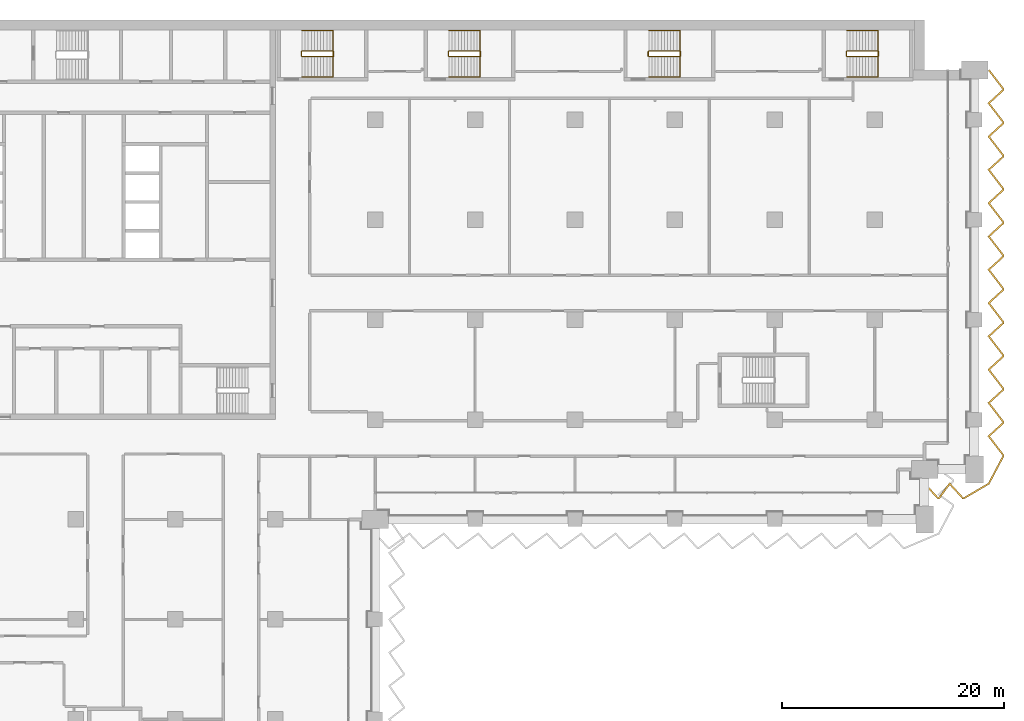
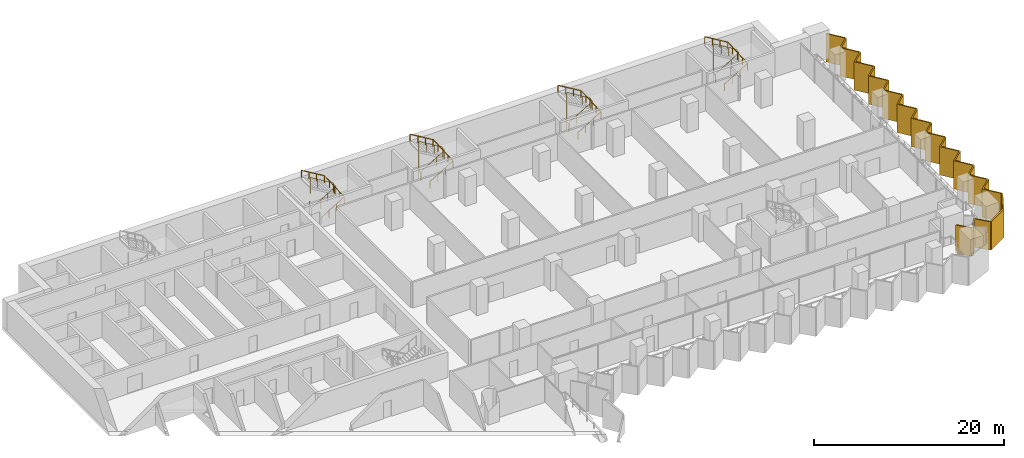
# One storey, part 28 of 29: 8 railings, 1 shading device.
"""IFC4 building model written with IfcOpenShell, lengths in metres."""

from ifc_helpers import new_model, si_unit, direction, frame, origin, origin_2d, place, context, subcontext, project, spatial, polyline, circle, outline, extrude, material, layer, layer_set, type_object, element, save


model = new_model("IFC4")

# Units and contexts
model_context = context("Model", 3, precision=1e-05, world=origin(), true_north=direction((0.0, 1.0)))
body_context = subcontext(model_context, "Body", "Model", "MODEL_VIEW")
ifc_project = project(units=[si_unit("LENGTHUNIT", "METRE"), si_unit("AREAUNIT", "SQUARE_METRE"), si_unit("VOLUMEUNIT", "CUBIC_METRE"), si_unit("PLANEANGLEUNIT", "RADIAN"), si_unit("MASSUNIT", "GRAM", prefix="KILO")], contexts=[model_context])

# Site, building, storey
site_placement = place(None, origin())
site = spatial("IfcSite", under=ifc_project, at=site_placement, CompositionType="ELEMENT")
building_placement = place(site_placement, origin())
building = spatial("IfcBuilding", under=site, at=building_placement, Name="Hunhe Ridgeline Campus", CompositionType="ELEMENT")
storey_placement = place(building_placement, frame((0.0, 0.0, 46.89990234375)))
storey = spatial("IfcBuildingStorey", under=building, at=storey_placement, Name="L10", CompositionType="ELEMENT", Elevation=46.89990234375)

# Shading device
ifc_material_1 = material(Name="Concrete C50", Category="concrete")
ifc_layer = layer(ifc_material_1, 0.14990234375)
ifc_layer_set = layer_set([ifc_layer], Name="Sawtooth concrete fin 150 Concrete C50")
shading_device_type = type_object("IfcShadingDeviceType", Name="Sawtooth concrete fin 150 Concrete C50", PredefinedType="USERDEFINED", material=ifc_layer_set)
shading_device_placement = place(storey_placement, frame((0.0, 0.0, -0.949951171875)))
element("IfcShadingDevice", 1, at=shading_device_placement, inside=storey, type_object=shading_device_type, Name="Concrete fin screen 3", ObjectType="FIN", PredefinedType="USERDEFINED", context=body_context, shape_type="SweptSolid", body=[
    extrude(outline(polyline([(94.555419921875, 57.275634765625), (94.444580078125, 57.174560546875), (95.65283203125, 55.85009765625), (95.84423828125, 55.85009765625), (96.756591796875, 57.1064453125), (97.90283203125, 55.85009765625), (98.076416015625, 55.85009765625), (100.331298828125, 57.171142578125), (101.64990234375, 59.66748046875), (101.64990234375, 59.83154296875), (100.37646484375, 61.490966796875), (101.64990234375, 62.65283203125), (101.64990234375, 62.83154296875), (100.37646484375, 64.490966796875), (101.64990234375, 65.65283203125), (101.64990234375, 65.83154296875), (100.37646484375, 67.490966796875), (101.64990234375, 68.65283203125), (101.64990234375, 68.83154296875), (100.37646484375, 70.490966796875), (101.64990234375, 71.65283203125), (101.64990234375, 71.83154296875), (100.37646484375, 73.490966796875), (101.64990234375, 74.65283203125), (101.64990234375, 74.83154296875), (100.37646484375, 76.490966796875), (101.64990234375, 77.65283203125), (101.64990234375, 77.83154296875), (100.37646484375, 79.490966796875), (101.64990234375, 80.65283203125), (101.64990234375, 80.83154296875), (100.37646484375, 82.490966796875), (101.64990234375, 83.65283203125), (101.64990234375, 83.83154296875), (100.37646484375, 85.490966796875), (101.64990234375, 86.65283203125), (101.64990234375, 86.83154296875), (100.37646484375, 88.490966796875), (101.64990234375, 89.65283203125), (101.64990234375, 89.83154296875), (100.37646484375, 91.490966796875), (101.64990234375, 92.65283203125), (101.64990234375, 92.83154296875), (100.33447265625, 94.545654296875), (100.215576171875, 94.454345703125), (101.5, 92.780517578125), (101.5, 92.71923828125), (100.173583984375, 91.509033203125), (101.5, 89.780517578125), (101.5, 89.71923828125), (100.173583984375, 88.509033203125), (101.5, 86.780517578125), (101.5, 86.71923828125), (100.173583984375, 85.509033203125), (101.5, 83.780517578125), (101.5, 83.71923828125), (100.173583984375, 82.509033203125), (101.5, 80.780517578125), (101.5, 80.71923828125), (100.173583984375, 79.509033203125), (101.5, 77.780517578125), (101.5, 77.71923828125), (100.173583984375, 76.509033203125), (101.5, 74.780517578125), (101.5, 74.71923828125), (100.173583984375, 73.509033203125), (101.5, 71.780517578125), (101.5, 71.71923828125), (100.173583984375, 70.509033203125), (101.5, 68.780517578125), (101.5, 68.71923828125), (100.173583984375, 67.509033203125), (101.5, 65.780517578125), (101.5, 65.71923828125), (100.173583984375, 64.509033203125), (101.5, 62.780517578125), (101.5, 62.71923828125), (100.173583984375, 61.509033203125), (101.5, 59.780517578125), (101.5, 59.70458984375), (100.21875, 57.27880859375), (98.03564453125, 56.0), (97.96923828125, 56.0), (96.743408203125, 57.343505859375), (95.767822265625, 56.0), (95.71923828125, 56.0), (94.555419921875, 57.275634765625)])), origin(), (0.0, 0.0, 1.0), 3.650146484375),
])

# Railings
ifc_material_2 = material(Name="Stainless steel balustrade", Category="steel")
railing_type_1 = type_object("IfcRailingType", Name="Stair guard 1100 stainless", PredefinedType="GUARDRAIL", material=ifc_material_2)
railing_1_placement = place(storey_placement, frame((38.39990234375, 95.699951171875, 0.168212890625)))
element("IfcRailing", 2, at=railing_1_placement, inside=storey, type_object=railing_type_1, Name="L10 stair E1 guard", PredefinedType="GUARDRAIL", context=body_context, shape_type="SweptSolid", body=[
    extrude(circle(Radius=0.02392578125, at=origin_2d()), frame((0.0, 0.0, 1.076171875), z_axis=(0.857242210791, 0.0, 0.514913383045), x_axis=(0.0, 1.0, 0.0)), (0.0, 0.0, 1.0), 3.266357421875),
    extrude(circle(Radius=0.02392578125, at=origin_2d()), frame((2.800048828125, 0.0, 2.7578125), z_axis=(0.707106781187, 0.707106781187, 0.0), x_axis=(-0.707106781187, 0.707106781187, 0.0)), (0.0, 0.0, 1.0), 0.07080078125),
    extrude(circle(Radius=0.02392578125, at=origin_2d()), frame((2.85009765625, 0.050048828125, 2.7578125), z_axis=(0.0, 1.0, 0.0), x_axis=(-1.0, 0.0, 0.0)), (0.0, 0.0, 1.0), 0.39990234375),
    extrude(circle(Radius=0.02392578125, at=origin_2d()), frame((2.85009765625, 0.449951171875, 2.7578125), z_axis=(-0.274243871929, 0.274243871929, 0.92172696468), x_axis=(-0.707106781187, -0.707106781187, 0.0)), (0.0, 0.0, 1.0), 0.1826171875),
    extrude(circle(Radius=0.02392578125, at=origin_2d()), frame((2.800048828125, 0.5, 2.92626953125), z_axis=(-0.857242210791, 0.0, 0.514913383045), x_axis=(0.0, -1.0, 0.0)), (0.0, 0.0, 1.0), 3.266357421875),
    extrude(circle(Radius=0.02392578125, at=origin_2d()), frame((0.0, 0.5, 4.60791015625), z_axis=(-0.013457565943, -0.013523534403, -0.999817987404), x_axis=(0.708833529934, -0.705375805398, 0.0)), (0.0, 0.0, 1.0), 3.700927734375),
    extrude(circle(Radius=0.02392578125, at=origin_2d()), frame((-0.0498046875, 0.449951171875, 0.90771484375), z_axis=(0.0, -1.0, 0.0), x_axis=(1.0, 0.0, 0.0)), (0.0, 0.0, 1.0), 0.39990234375),
    extrude(circle(Radius=0.02099609375, at=origin_2d()), origin(), (0.0, 0.0, 1.0), 1.052001953125),
    extrude(circle(Radius=0.02099609375, at=origin_2d()), frame((0.933349609375, 0.0, 0.560546875)), (0.0, 0.0, 1.0), 1.052001953125),
    extrude(circle(Radius=0.02099609375, at=origin_2d()), frame((1.86669921875, 0.0, 1.121337890625)), (0.0, 0.0, 1.0), 1.052001953125),
    extrude(circle(Radius=0.02099609375, at=origin_2d()), frame((2.800048828125, 0.0, 1.681884765625)), (0.0, 0.0, 1.0), 1.052001953125),
    extrude(circle(Radius=0.02099609375, at=origin_2d()), frame((2.85009765625, 0.050048828125, 1.681884765625)), (0.0, 0.0, 1.0), 1.052001953125),
    extrude(circle(Radius=0.02099609375, at=origin_2d()), frame((2.85009765625, 0.449951171875, 1.681884765625)), (0.0, 0.0, 1.0), 1.052001953125),
    extrude(circle(Radius=0.02099609375, at=origin_2d()), frame((2.800048828125, 0.5, 1.85009765625)), (0.0, 0.0, 1.0), 1.052001953125),
    extrude(circle(Radius=0.02099609375, at=origin_2d()), frame((1.86669921875, 0.5, 2.41064453125)), (0.0, 0.0, 1.0), 1.052001953125),
    extrude(circle(Radius=0.02099609375, at=origin_2d()), frame((0.933349609375, 0.5, 2.971435546875)), (0.0, 0.0, 1.0), 1.052001953125),
    extrude(circle(Radius=0.02099609375, at=origin_2d()), frame((0.0, 0.5, 3.531982421875)), (0.0, 0.0, 1.0), 1.052001953125),
    extrude(circle(Radius=0.02099609375, at=origin_2d()), frame((-0.012451171875, 0.487548828125, 2.60693359375)), (0.0, 0.0, 1.0), 1.052001953125),
    extrude(circle(Radius=0.02099609375, at=origin_2d()), frame((-0.02490234375, 0.47509765625, 1.681884765625)), (0.0, 0.0, 1.0), 1.052001953125),
    extrude(circle(Radius=0.02099609375, at=origin_2d()), frame((-0.037353515625, 0.46240234375, 0.7568359375)), (0.0, 0.0, 1.0), 1.052001953125),
    extrude(circle(Radius=0.02099609375, at=origin_2d()), frame((-0.0498046875, 0.449951171875, -0.168212890625)), (0.0, 0.0, 1.0), 1.052001953125),
    extrude(circle(Radius=0.02099609375, at=origin_2d()), frame((-0.0498046875, 0.050048828125, -0.168212890625)), (0.0, 0.0, 1.0), 1.052001953125),
])
railing_2_placement = place(storey_placement, frame((51.64990234375, 95.699951171875, 0.168212890625)))
element("IfcRailing", 3, at=railing_2_placement, inside=storey, type_object=railing_type_1, Name="L10 stair E2 guard", PredefinedType="GUARDRAIL", context=body_context, shape_type="SweptSolid", body=[
    extrude(circle(Radius=0.02392578125, at=origin_2d()), frame((0.0, 0.0, 1.076171875), z_axis=(0.857242210791, 0.0, 0.514913383045), x_axis=(0.0, 1.0, 0.0)), (0.0, 0.0, 1.0), 3.266357421875),
    extrude(circle(Radius=0.02392578125, at=origin_2d()), frame((2.800048828125, 0.0, 2.7578125), z_axis=(0.707106781187, 0.707106781187, 0.0), x_axis=(-0.707106781187, 0.707106781187, 0.0)), (0.0, 0.0, 1.0), 0.07080078125),
    extrude(circle(Radius=0.02392578125, at=origin_2d()), frame((2.85009765625, 0.050048828125, 2.7578125), z_axis=(0.0, 1.0, 0.0), x_axis=(-1.0, 0.0, 0.0)), (0.0, 0.0, 1.0), 0.39990234375),
    extrude(circle(Radius=0.02392578125, at=origin_2d()), frame((2.85009765625, 0.449951171875, 2.7578125), z_axis=(-0.274243871929, 0.274243871929, 0.92172696468), x_axis=(-0.707106781187, -0.707106781187, 0.0)), (0.0, 0.0, 1.0), 0.1826171875),
    extrude(circle(Radius=0.02392578125, at=origin_2d()), frame((2.800048828125, 0.5, 2.92626953125), z_axis=(-0.857242210791, 0.0, 0.514913383045), x_axis=(0.0, -1.0, 0.0)), (0.0, 0.0, 1.0), 3.266357421875),
    extrude(circle(Radius=0.02392578125, at=origin_2d()), frame((0.0, 0.5, 4.60791015625), z_axis=(-0.013457565943, -0.013523534403, -0.999817987404), x_axis=(0.708833529934, -0.705375805398, 0.0)), (0.0, 0.0, 1.0), 3.700927734375),
    extrude(circle(Radius=0.02392578125, at=origin_2d()), frame((-0.0498046875, 0.449951171875, 0.90771484375), z_axis=(0.0, -1.0, 0.0), x_axis=(1.0, 0.0, 0.0)), (0.0, 0.0, 1.0), 0.39990234375),
    extrude(circle(Radius=0.02099609375, at=origin_2d()), origin(), (0.0, 0.0, 1.0), 1.052001953125),
    extrude(circle(Radius=0.02099609375, at=origin_2d()), frame((0.933349609375, 0.0, 0.560546875)), (0.0, 0.0, 1.0), 1.052001953125),
    extrude(circle(Radius=0.02099609375, at=origin_2d()), frame((1.86669921875, 0.0, 1.121337890625)), (0.0, 0.0, 1.0), 1.052001953125),
    extrude(circle(Radius=0.02099609375, at=origin_2d()), frame((2.800048828125, 0.0, 1.681884765625)), (0.0, 0.0, 1.0), 1.052001953125),
    extrude(circle(Radius=0.02099609375, at=origin_2d()), frame((2.85009765625, 0.050048828125, 1.681884765625)), (0.0, 0.0, 1.0), 1.052001953125),
    extrude(circle(Radius=0.02099609375, at=origin_2d()), frame((2.85009765625, 0.449951171875, 1.681884765625)), (0.0, 0.0, 1.0), 1.052001953125),
    extrude(circle(Radius=0.02099609375, at=origin_2d()), frame((2.800048828125, 0.5, 1.85009765625)), (0.0, 0.0, 1.0), 1.052001953125),
    extrude(circle(Radius=0.02099609375, at=origin_2d()), frame((1.86669921875, 0.5, 2.41064453125)), (0.0, 0.0, 1.0), 1.052001953125),
    extrude(circle(Radius=0.02099609375, at=origin_2d()), frame((0.933349609375, 0.5, 2.971435546875)), (0.0, 0.0, 1.0), 1.052001953125),
    extrude(circle(Radius=0.02099609375, at=origin_2d()), frame((0.0, 0.5, 3.531982421875)), (0.0, 0.0, 1.0), 1.052001953125),
    extrude(circle(Radius=0.02099609375, at=origin_2d()), frame((-0.012451171875, 0.487548828125, 2.60693359375)), (0.0, 0.0, 1.0), 1.052001953125),
    extrude(circle(Radius=0.02099609375, at=origin_2d()), frame((-0.02490234375, 0.47509765625, 1.681884765625)), (0.0, 0.0, 1.0), 1.052001953125),
    extrude(circle(Radius=0.02099609375, at=origin_2d()), frame((-0.037353515625, 0.46240234375, 0.7568359375)), (0.0, 0.0, 1.0), 1.052001953125),
    extrude(circle(Radius=0.02099609375, at=origin_2d()), frame((-0.0498046875, 0.449951171875, -0.168212890625)), (0.0, 0.0, 1.0), 1.052001953125),
    extrude(circle(Radius=0.02099609375, at=origin_2d()), frame((-0.0498046875, 0.050048828125, -0.168212890625)), (0.0, 0.0, 1.0), 1.052001953125),
])
railing_3_placement = place(storey_placement, frame((69.64990234375, 95.699951171875, 0.168212890625)))
element("IfcRailing", 4, at=railing_3_placement, inside=storey, type_object=railing_type_1, Name="L10 stair E3 guard", PredefinedType="GUARDRAIL", context=body_context, shape_type="SweptSolid", body=[
    extrude(circle(Radius=0.02392578125, at=origin_2d()), frame((0.0, 0.0, 1.076171875), z_axis=(0.857242210791, 0.0, 0.514913383045), x_axis=(0.0, 1.0, 0.0)), (0.0, 0.0, 1.0), 3.266357421875),
    extrude(circle(Radius=0.02392578125, at=origin_2d()), frame((2.800048828125, 0.0, 2.7578125), z_axis=(0.707106781187, 0.707106781187, 0.0), x_axis=(-0.707106781187, 0.707106781187, 0.0)), (0.0, 0.0, 1.0), 0.07080078125),
    extrude(circle(Radius=0.02392578125, at=origin_2d()), frame((2.85009765625, 0.050048828125, 2.7578125), z_axis=(0.0, 1.0, 0.0), x_axis=(-1.0, 0.0, 0.0)), (0.0, 0.0, 1.0), 0.39990234375),
    extrude(circle(Radius=0.02392578125, at=origin_2d()), frame((2.85009765625, 0.449951171875, 2.7578125), z_axis=(-0.274243871929, 0.274243871929, 0.92172696468), x_axis=(-0.707106781187, -0.707106781187, 0.0)), (0.0, 0.0, 1.0), 0.1826171875),
    extrude(circle(Radius=0.02392578125, at=origin_2d()), frame((2.800048828125, 0.5, 2.92626953125), z_axis=(-0.857242210791, 0.0, 0.514913383045), x_axis=(0.0, -1.0, 0.0)), (0.0, 0.0, 1.0), 3.266357421875),
    extrude(circle(Radius=0.02392578125, at=origin_2d()), frame((0.0, 0.5, 4.60791015625), z_axis=(-0.013457565943, -0.013523534403, -0.999817987404), x_axis=(0.708833529934, -0.705375805398, 0.0)), (0.0, 0.0, 1.0), 3.700927734375),
    extrude(circle(Radius=0.02392578125, at=origin_2d()), frame((-0.0498046875, 0.449951171875, 0.90771484375), z_axis=(0.0, -1.0, 0.0), x_axis=(1.0, 0.0, 0.0)), (0.0, 0.0, 1.0), 0.39990234375),
    extrude(circle(Radius=0.02099609375, at=origin_2d()), origin(), (0.0, 0.0, 1.0), 1.052001953125),
    extrude(circle(Radius=0.02099609375, at=origin_2d()), frame((0.933349609375, 0.0, 0.560546875)), (0.0, 0.0, 1.0), 1.052001953125),
    extrude(circle(Radius=0.02099609375, at=origin_2d()), frame((1.86669921875, 0.0, 1.121337890625)), (0.0, 0.0, 1.0), 1.052001953125),
    extrude(circle(Radius=0.02099609375, at=origin_2d()), frame((2.800048828125, 0.0, 1.681884765625)), (0.0, 0.0, 1.0), 1.052001953125),
    extrude(circle(Radius=0.02099609375, at=origin_2d()), frame((2.85009765625, 0.050048828125, 1.681884765625)), (0.0, 0.0, 1.0), 1.052001953125),
    extrude(circle(Radius=0.02099609375, at=origin_2d()), frame((2.85009765625, 0.449951171875, 1.681884765625)), (0.0, 0.0, 1.0), 1.052001953125),
    extrude(circle(Radius=0.02099609375, at=origin_2d()), frame((2.800048828125, 0.5, 1.85009765625)), (0.0, 0.0, 1.0), 1.052001953125),
    extrude(circle(Radius=0.02099609375, at=origin_2d()), frame((1.86669921875, 0.5, 2.41064453125)), (0.0, 0.0, 1.0), 1.052001953125),
    extrude(circle(Radius=0.02099609375, at=origin_2d()), frame((0.933349609375, 0.5, 2.971435546875)), (0.0, 0.0, 1.0), 1.052001953125),
    extrude(circle(Radius=0.02099609375, at=origin_2d()), frame((0.0, 0.5, 3.531982421875)), (0.0, 0.0, 1.0), 1.052001953125),
    extrude(circle(Radius=0.02099609375, at=origin_2d()), frame((-0.012451171875, 0.487548828125, 2.60693359375)), (0.0, 0.0, 1.0), 1.052001953125),
    extrude(circle(Radius=0.02099609375, at=origin_2d()), frame((-0.02490234375, 0.47509765625, 1.681884765625)), (0.0, 0.0, 1.0), 1.052001953125),
    extrude(circle(Radius=0.02099609375, at=origin_2d()), frame((-0.037353515625, 0.46240234375, 0.7568359375)), (0.0, 0.0, 1.0), 1.052001953125),
    extrude(circle(Radius=0.02099609375, at=origin_2d()), frame((-0.0498046875, 0.449951171875, -0.168212890625)), (0.0, 0.0, 1.0), 1.052001953125),
    extrude(circle(Radius=0.02099609375, at=origin_2d()), frame((-0.0498046875, 0.050048828125, -0.168212890625)), (0.0, 0.0, 1.0), 1.052001953125),
])
railing_4_placement = place(storey_placement, frame((87.5, 95.699951171875, 0.168212890625)))
element("IfcRailing", 5, at=railing_4_placement, inside=storey, type_object=railing_type_1, Name="L10 stair E4 guard", PredefinedType="GUARDRAIL", context=body_context, shape_type="SweptSolid", body=[
    extrude(circle(Radius=0.02392578125, at=origin_2d()), frame((0.0, 0.0, 1.076171875), z_axis=(0.857242210791, 0.0, 0.514913383045), x_axis=(0.0, 1.0, 0.0)), (0.0, 0.0, 1.0), 3.266357421875),
    extrude(circle(Radius=0.02392578125, at=origin_2d()), frame((2.800048828125, 0.0, 2.7578125), z_axis=(0.707106781187, 0.707106781187, 0.0), x_axis=(-0.707106781187, 0.707106781187, 0.0)), (0.0, 0.0, 1.0), 0.07080078125),
    extrude(circle(Radius=0.02392578125, at=origin_2d()), frame((2.85009765625, 0.050048828125, 2.7578125), z_axis=(0.0, 1.0, 0.0), x_axis=(-1.0, 0.0, 0.0)), (0.0, 0.0, 1.0), 0.39990234375),
    extrude(circle(Radius=0.02392578125, at=origin_2d()), frame((2.85009765625, 0.449951171875, 2.7578125), z_axis=(-0.274243871929, 0.274243871929, 0.92172696468), x_axis=(-0.707106781187, -0.707106781187, 0.0)), (0.0, 0.0, 1.0), 0.1826171875),
    extrude(circle(Radius=0.02392578125, at=origin_2d()), frame((2.800048828125, 0.5, 2.92626953125), z_axis=(-0.857242210791, 0.0, 0.514913383045), x_axis=(0.0, -1.0, 0.0)), (0.0, 0.0, 1.0), 3.266357421875),
    extrude(circle(Radius=0.02392578125, at=origin_2d()), frame((0.0, 0.5, 4.60791015625), z_axis=(-0.013523522368, -0.013523522368, -0.999817097616), x_axis=(0.707106781187, -0.707106781187, 0.0)), (0.0, 0.0, 1.0), 3.700927734375),
    extrude(circle(Radius=0.02392578125, at=origin_2d()), frame((-0.050048828125, 0.449951171875, 0.90771484375), z_axis=(0.0, -1.0, 0.0), x_axis=(1.0, 0.0, 0.0)), (0.0, 0.0, 1.0), 0.39990234375),
    extrude(circle(Radius=0.02099609375, at=origin_2d()), origin(), (0.0, 0.0, 1.0), 1.052001953125),
    extrude(circle(Radius=0.02099609375, at=origin_2d()), frame((0.933349609375, 0.0, 0.560546875)), (0.0, 0.0, 1.0), 1.052001953125),
    extrude(circle(Radius=0.02099609375, at=origin_2d()), frame((1.86669921875, 0.0, 1.121337890625)), (0.0, 0.0, 1.0), 1.052001953125),
    extrude(circle(Radius=0.02099609375, at=origin_2d()), frame((2.800048828125, 0.0, 1.681884765625)), (0.0, 0.0, 1.0), 1.052001953125),
    extrude(circle(Radius=0.02099609375, at=origin_2d()), frame((2.85009765625, 0.050048828125, 1.681884765625)), (0.0, 0.0, 1.0), 1.052001953125),
    extrude(circle(Radius=0.02099609375, at=origin_2d()), frame((2.85009765625, 0.449951171875, 1.681884765625)), (0.0, 0.0, 1.0), 1.052001953125),
    extrude(circle(Radius=0.02099609375, at=origin_2d()), frame((2.800048828125, 0.5, 1.85009765625)), (0.0, 0.0, 1.0), 1.052001953125),
    extrude(circle(Radius=0.02099609375, at=origin_2d()), frame((1.86669921875, 0.5, 2.41064453125)), (0.0, 0.0, 1.0), 1.052001953125),
    extrude(circle(Radius=0.02099609375, at=origin_2d()), frame((0.933349609375, 0.5, 2.971435546875)), (0.0, 0.0, 1.0), 1.052001953125),
    extrude(circle(Radius=0.02099609375, at=origin_2d()), frame((0.0, 0.5, 3.531982421875)), (0.0, 0.0, 1.0), 1.052001953125),
    extrude(circle(Radius=0.02099609375, at=origin_2d()), frame((-0.012451171875, 0.487548828125, 2.60693359375)), (0.0, 0.0, 1.0), 1.052001953125),
    extrude(circle(Radius=0.02099609375, at=origin_2d()), frame((-0.02490234375, 0.47509765625, 1.681884765625)), (0.0, 0.0, 1.0), 1.052001953125),
    extrude(circle(Radius=0.02099609375, at=origin_2d()), frame((-0.03759765625, 0.46240234375, 0.7568359375)), (0.0, 0.0, 1.0), 1.052001953125),
    extrude(circle(Radius=0.02099609375, at=origin_2d()), frame((-0.050048828125, 0.449951171875, -0.168212890625)), (0.0, 0.0, 1.0), 1.052001953125),
    extrude(circle(Radius=0.02099609375, at=origin_2d()), frame((-0.050048828125, 0.050048828125, -0.168212890625)), (0.0, 0.0, 1.0), 1.052001953125),
])
ifc_material_3 = material(Name="Stainless steel handrail", Category="steel")
railing_type_2 = type_object("IfcRailingType", Name="Stair handrail 900 stainless", PredefinedType="HANDRAIL", material=ifc_material_3)
railing_5_placement = place(storey_placement, frame((38.39990234375, 93.85009765625, 0.168212890625)))
element("IfcRailing", 6, at=railing_5_placement, inside=storey, type_object=railing_type_2, Name="L10 stair E1 handrail", PredefinedType="HANDRAIL", context=body_context, shape_type="SweptSolid", body=[
    extrude(circle(Radius=0.02392578125, at=origin_2d()), frame((0.0, 0.0, 0.8759765625), z_axis=(0.857242210791, 0.0, 0.514913383045), x_axis=(0.0, 1.0, 0.0)), (0.0, 0.0, 1.0), 3.266357421875),
    extrude(circle(Radius=0.02392578125, at=origin_2d()), frame((2.800048828125, 0.0, 2.5576171875), z_axis=(0.0, 0.999198916169, 0.040019069537), x_axis=(-1.0, 0.0, 0.0)), (0.0, 0.0, 1.0), 4.203369140625),
    extrude(circle(Radius=0.02392578125, at=origin_2d()), frame((2.800048828125, 4.199951171875, 2.72607421875), z_axis=(-0.857242210791, 0.0, 0.514913383045), x_axis=(0.0, -1.0, 0.0)), (0.0, 0.0, 1.0), 3.266357421875),
    extrude(circle(Radius=0.02099609375, at=origin_2d()), origin(), (0.0, 0.0, 1.0), 0.851806640625),
    extrude(circle(Radius=0.02099609375, at=origin_2d()), frame((0.933349609375, 0.0, 0.560546875)), (0.0, 0.0, 1.0), 0.851806640625),
    extrude(circle(Radius=0.02099609375, at=origin_2d()), frame((1.86669921875, 0.0, 1.121337890625)), (0.0, 0.0, 1.0), 0.851806640625),
    extrude(circle(Radius=0.02099609375, at=origin_2d()), frame((2.800048828125, 0.0, 1.681884765625)), (0.0, 0.0, 1.0), 0.851806640625),
    extrude(circle(Radius=0.02099609375, at=origin_2d()), frame((2.800048828125, 1.050048828125, 1.723876953125)), (0.0, 0.0, 1.0), 0.851806640625),
    extrude(circle(Radius=0.02099609375, at=origin_2d()), frame((2.800048828125, 2.10009765625, 1.76611328125)), (0.0, 0.0, 1.0), 0.851806640625),
    extrude(circle(Radius=0.02099609375, at=origin_2d()), frame((2.800048828125, 3.14990234375, 1.80810546875)), (0.0, 0.0, 1.0), 0.851806640625),
    extrude(circle(Radius=0.02099609375, at=origin_2d()), frame((2.800048828125, 4.199951171875, 1.85009765625)), (0.0, 0.0, 1.0), 0.851806640625),
    extrude(circle(Radius=0.02099609375, at=origin_2d()), frame((1.86669921875, 4.199951171875, 2.41064453125)), (0.0, 0.0, 1.0), 0.851806640625),
    extrude(circle(Radius=0.02099609375, at=origin_2d()), frame((0.933349609375, 4.199951171875, 2.971435546875)), (0.0, 0.0, 1.0), 0.851806640625),
    extrude(circle(Radius=0.02099609375, at=origin_2d()), frame((0.0, 4.199951171875, 3.531982421875)), (0.0, 0.0, 1.0), 0.851806640625),
])
railing_6_placement = place(storey_placement, frame((51.64990234375, 93.85009765625, 0.168212890625)))
element("IfcRailing", 7, at=railing_6_placement, inside=storey, type_object=railing_type_2, Name="L10 stair E2 handrail", PredefinedType="HANDRAIL", context=body_context, shape_type="SweptSolid", body=[
    extrude(circle(Radius=0.02392578125, at=origin_2d()), frame((0.0, 0.0, 0.8759765625), z_axis=(0.857242210791, 0.0, 0.514913383045), x_axis=(0.0, 1.0, 0.0)), (0.0, 0.0, 1.0), 3.266357421875),
    extrude(circle(Radius=0.02392578125, at=origin_2d()), frame((2.800048828125, 0.0, 2.5576171875), z_axis=(0.0, 0.999198916169, 0.040019069537), x_axis=(-1.0, 0.0, 0.0)), (0.0, 0.0, 1.0), 4.203369140625),
    extrude(circle(Radius=0.02392578125, at=origin_2d()), frame((2.800048828125, 4.199951171875, 2.72607421875), z_axis=(-0.857242210791, 0.0, 0.514913383045), x_axis=(0.0, -1.0, 0.0)), (0.0, 0.0, 1.0), 3.266357421875),
    extrude(circle(Radius=0.02099609375, at=origin_2d()), origin(), (0.0, 0.0, 1.0), 0.851806640625),
    extrude(circle(Radius=0.02099609375, at=origin_2d()), frame((0.933349609375, 0.0, 0.560546875)), (0.0, 0.0, 1.0), 0.851806640625),
    extrude(circle(Radius=0.02099609375, at=origin_2d()), frame((1.86669921875, 0.0, 1.121337890625)), (0.0, 0.0, 1.0), 0.851806640625),
    extrude(circle(Radius=0.02099609375, at=origin_2d()), frame((2.800048828125, 0.0, 1.681884765625)), (0.0, 0.0, 1.0), 0.851806640625),
    extrude(circle(Radius=0.02099609375, at=origin_2d()), frame((2.800048828125, 1.050048828125, 1.723876953125)), (0.0, 0.0, 1.0), 0.851806640625),
    extrude(circle(Radius=0.02099609375, at=origin_2d()), frame((2.800048828125, 2.10009765625, 1.76611328125)), (0.0, 0.0, 1.0), 0.851806640625),
    extrude(circle(Radius=0.02099609375, at=origin_2d()), frame((2.800048828125, 3.14990234375, 1.80810546875)), (0.0, 0.0, 1.0), 0.851806640625),
    extrude(circle(Radius=0.02099609375, at=origin_2d()), frame((2.800048828125, 4.199951171875, 1.85009765625)), (0.0, 0.0, 1.0), 0.851806640625),
    extrude(circle(Radius=0.02099609375, at=origin_2d()), frame((1.86669921875, 4.199951171875, 2.41064453125)), (0.0, 0.0, 1.0), 0.851806640625),
    extrude(circle(Radius=0.02099609375, at=origin_2d()), frame((0.933349609375, 4.199951171875, 2.971435546875)), (0.0, 0.0, 1.0), 0.851806640625),
    extrude(circle(Radius=0.02099609375, at=origin_2d()), frame((0.0, 4.199951171875, 3.531982421875)), (0.0, 0.0, 1.0), 0.851806640625),
])
railing_7_placement = place(storey_placement, frame((69.64990234375, 93.85009765625, 0.168212890625)))
element("IfcRailing", 8, at=railing_7_placement, inside=storey, type_object=railing_type_2, Name="L10 stair E3 handrail", PredefinedType="HANDRAIL", context=body_context, shape_type="SweptSolid", body=[
    extrude(circle(Radius=0.02392578125, at=origin_2d()), frame((0.0, 0.0, 0.8759765625), z_axis=(0.857242210791, 0.0, 0.514913383045), x_axis=(0.0, 1.0, 0.0)), (0.0, 0.0, 1.0), 3.266357421875),
    extrude(circle(Radius=0.02392578125, at=origin_2d()), frame((2.800048828125, 0.0, 2.5576171875), z_axis=(0.0, 0.999198916169, 0.040019069537), x_axis=(-1.0, 0.0, 0.0)), (0.0, 0.0, 1.0), 4.203369140625),
    extrude(circle(Radius=0.02392578125, at=origin_2d()), frame((2.800048828125, 4.199951171875, 2.72607421875), z_axis=(-0.857242210791, 0.0, 0.514913383045), x_axis=(0.0, -1.0, 0.0)), (0.0, 0.0, 1.0), 3.266357421875),
    extrude(circle(Radius=0.02099609375, at=origin_2d()), origin(), (0.0, 0.0, 1.0), 0.851806640625),
    extrude(circle(Radius=0.02099609375, at=origin_2d()), frame((0.933349609375, 0.0, 0.560546875)), (0.0, 0.0, 1.0), 0.851806640625),
    extrude(circle(Radius=0.02099609375, at=origin_2d()), frame((1.86669921875, 0.0, 1.121337890625)), (0.0, 0.0, 1.0), 0.851806640625),
    extrude(circle(Radius=0.02099609375, at=origin_2d()), frame((2.800048828125, 0.0, 1.681884765625)), (0.0, 0.0, 1.0), 0.851806640625),
    extrude(circle(Radius=0.02099609375, at=origin_2d()), frame((2.800048828125, 1.050048828125, 1.723876953125)), (0.0, 0.0, 1.0), 0.851806640625),
    extrude(circle(Radius=0.02099609375, at=origin_2d()), frame((2.800048828125, 2.10009765625, 1.76611328125)), (0.0, 0.0, 1.0), 0.851806640625),
    extrude(circle(Radius=0.02099609375, at=origin_2d()), frame((2.800048828125, 3.14990234375, 1.80810546875)), (0.0, 0.0, 1.0), 0.851806640625),
    extrude(circle(Radius=0.02099609375, at=origin_2d()), frame((2.800048828125, 4.199951171875, 1.85009765625)), (0.0, 0.0, 1.0), 0.851806640625),
    extrude(circle(Radius=0.02099609375, at=origin_2d()), frame((1.86669921875, 4.199951171875, 2.41064453125)), (0.0, 0.0, 1.0), 0.851806640625),
    extrude(circle(Radius=0.02099609375, at=origin_2d()), frame((0.933349609375, 4.199951171875, 2.971435546875)), (0.0, 0.0, 1.0), 0.851806640625),
    extrude(circle(Radius=0.02099609375, at=origin_2d()), frame((0.0, 4.199951171875, 3.531982421875)), (0.0, 0.0, 1.0), 0.851806640625),
])
railing_8_placement = place(storey_placement, frame((87.5, 93.85009765625, 0.168212890625)))
element("IfcRailing", 9, at=railing_8_placement, inside=storey, type_object=railing_type_2, Name="L10 stair E4 handrail", PredefinedType="HANDRAIL", context=body_context, shape_type="SweptSolid", body=[
    extrude(circle(Radius=0.02392578125, at=origin_2d()), frame((0.0, 0.0, 0.8759765625), z_axis=(0.857242210791, 0.0, 0.514913383045), x_axis=(0.0, 1.0, 0.0)), (0.0, 0.0, 1.0), 3.266357421875),
    extrude(circle(Radius=0.02392578125, at=origin_2d()), frame((2.800048828125, 0.0, 2.5576171875), z_axis=(0.0, 0.999198916169, 0.040019069537), x_axis=(-1.0, 0.0, 0.0)), (0.0, 0.0, 1.0), 4.203369140625),
    extrude(circle(Radius=0.02392578125, at=origin_2d()), frame((2.800048828125, 4.199951171875, 2.72607421875), z_axis=(-0.857242210791, 0.0, 0.514913383045), x_axis=(0.0, -1.0, 0.0)), (0.0, 0.0, 1.0), 3.266357421875),
    extrude(circle(Radius=0.02099609375, at=origin_2d()), origin(), (0.0, 0.0, 1.0), 0.851806640625),
    extrude(circle(Radius=0.02099609375, at=origin_2d()), frame((0.933349609375, 0.0, 0.560546875)), (0.0, 0.0, 1.0), 0.851806640625),
    extrude(circle(Radius=0.02099609375, at=origin_2d()), frame((1.86669921875, 0.0, 1.121337890625)), (0.0, 0.0, 1.0), 0.851806640625),
    extrude(circle(Radius=0.02099609375, at=origin_2d()), frame((2.800048828125, 0.0, 1.681884765625)), (0.0, 0.0, 1.0), 0.851806640625),
    extrude(circle(Radius=0.02099609375, at=origin_2d()), frame((2.800048828125, 1.050048828125, 1.723876953125)), (0.0, 0.0, 1.0), 0.851806640625),
    extrude(circle(Radius=0.02099609375, at=origin_2d()), frame((2.800048828125, 2.10009765625, 1.76611328125)), (0.0, 0.0, 1.0), 0.851806640625),
    extrude(circle(Radius=0.02099609375, at=origin_2d()), frame((2.800048828125, 3.14990234375, 1.80810546875)), (0.0, 0.0, 1.0), 0.851806640625),
    extrude(circle(Radius=0.02099609375, at=origin_2d()), frame((2.800048828125, 4.199951171875, 1.85009765625)), (0.0, 0.0, 1.0), 0.851806640625),
    extrude(circle(Radius=0.02099609375, at=origin_2d()), frame((1.86669921875, 4.199951171875, 2.41064453125)), (0.0, 0.0, 1.0), 0.851806640625),
    extrude(circle(Radius=0.02099609375, at=origin_2d()), frame((0.933349609375, 4.199951171875, 2.971435546875)), (0.0, 0.0, 1.0), 0.851806640625),
    extrude(circle(Radius=0.02099609375, at=origin_2d()), frame((0.0, 4.199951171875, 3.531982421875)), (0.0, 0.0, 1.0), 0.851806640625),
])

save(model, "model.ifc")
